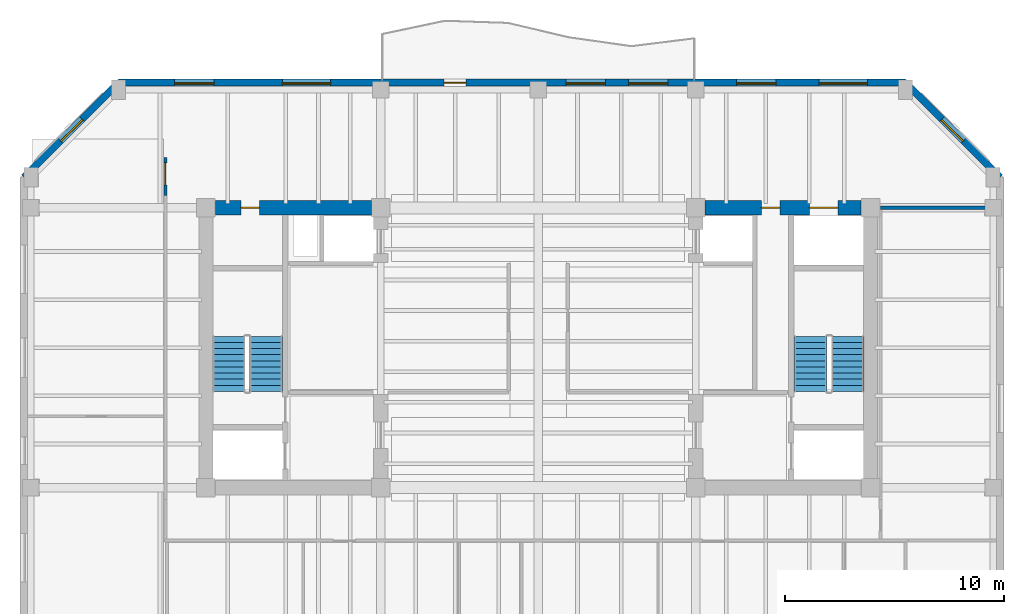
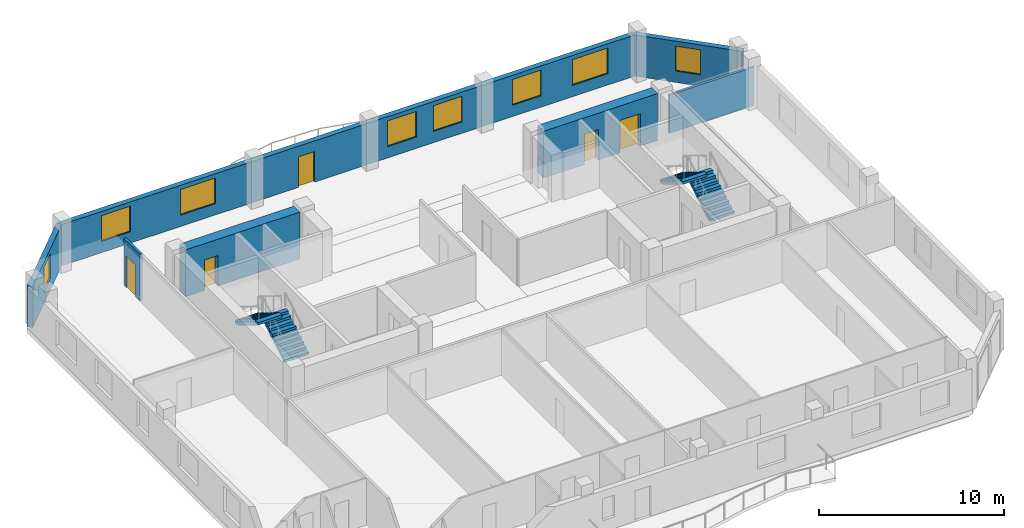
# One storey, part 5 of 10: 8 windows, 7 walls, 5 doors, 4 stair flights, 13 openings, 2 elements without a shape of their own.
"""IFC4 building model written with IfcOpenShell, lengths in metres."""

from ifc_helpers import new_model, si_unit, direction, frame, frame_2d, origin, place, context, subcontext, project, spatial, polyline, rectangle, outline, extrude, material, layer, layer_set, type_object, element, fill, aggregate, save


model = new_model("IFC4")

# Units and contexts
model_context = context("Model", 3, precision=1e-05, world=origin(), true_north=direction((0.0, 1.0)))
body_context = subcontext(model_context, "Body", "Model", "MODEL_VIEW")
ifc_project = project(units=[si_unit("LENGTHUNIT", "METRE"), si_unit("AREAUNIT", "SQUARE_METRE"), si_unit("VOLUMEUNIT", "CUBIC_METRE"), si_unit("PLANEANGLEUNIT", "RADIAN"), si_unit("MASSUNIT", "GRAM", prefix="KILO")], contexts=[model_context])

# Site, building, storey
site_placement = place(None, origin())
site = spatial("IfcSite", under=ifc_project, at=site_placement, CompositionType="ELEMENT")
building_placement = place(site_placement, origin())
building = spatial("IfcBuilding", under=site, at=building_placement, Name="Kranthara Brick Stack", CompositionType="ELEMENT")
storey_placement = place(building_placement, frame((0.0, 0.0, 214.300048828125)))
storey = spatial("IfcBuildingStorey", under=building, at=storey_placement, Name="L55", CompositionType="ELEMENT", Elevation=214.300048828125)

# Wall, opening, window
ifc_material_1 = material(Name="Warm buff clay brick masonry M15", Category="masonry")
ifc_layer_1 = layer(ifc_material_1, 0.320068359375)
ifc_layer_set_1 = layer_set([ifc_layer_1], Name="Warm buff clay brick masonry M15")
wall_type_1 = type_object("IfcWallType", Name="WL-BRK-UPPR-320", PredefinedType="STANDARD", material=ifc_layer_set_1)
wall_1_placement = place(storey_placement, frame((4.47998046875, 35.0, 0.0), z_axis=(0.0, 0.0, 1.0), x_axis=(0.707106781187, 0.707106781187, 0.0)))
wall_1 = element("IfcWall", 1, at=wall_1_placement, inside=storey, type_object=wall_type_1, Name="L55 Exterior Brick Facade Wall NW 1", PredefinedType="STANDARD", context=body_context, shape_type="SweptSolid", body=[
    extrude(rectangle(XDim=6.109619140625, YDim=0.320068359375, at=frame_2d((3.0546875, 0.0))), origin(), (0.0, 0.0, 1.0), 2.724853515625),
])
opening_1_placement = place(wall_1_placement, frame((2.35498046875, 0.0, 0.75)))
opening_1 = element("IfcOpeningElement", 2, at=opening_1_placement, cuts=wall_1, Name="Opening WN10", PredefinedType="OPENING", context=body_context, shape_type="SweptSolid", body=[
    extrude(rectangle(XDim=1.39990234375, YDim=1.64990234375, at=frame_2d((0.699951171875, 0.824951171875))), frame((0.0, 0.169921875, 0.0), z_axis=(0.0, -1.0, 0.0), x_axis=(1.0, 0.0, 0.0)), (0.0, 0.0, 1.0), 0.340087890625),
])
ifc_material_2 = material(Name="Double-glazed low-E solar control glass", Category="glass")
window_type_1 = type_object("IfcWindowType", Name="WN-CHM-1400x1750", PartitioningType="SINGLE_PANEL", PredefinedType="WINDOW", material=ifc_material_2)
window_1_placement = place(opening_1_placement, origin())
window_1 = element("IfcWindow", 3, at=window_1_placement, inside=storey, type_object=window_type_1, Name="L55 NW Chamfer Corner Window", OverallHeight=1.64990234375, OverallWidth=1.39990234375, PartitioningType="SINGLE_PANEL", PredefinedType="WINDOW", context=body_context, shape_type="SweptSolid", body=[
    extrude(rectangle(XDim=1.39990234375, YDim=1.64990234375, at=frame_2d((0.699951171875, 0.824951171875))), frame((0.0, -0.010009765625, 0.0), z_axis=(0.0, -1.0, 0.0), x_axis=(1.0, 0.0, 0.0)), (0.0, 0.0, 1.0), 0.06005859375),
])
fill(opening_1, window_1)

# Wall, openings, door, windows
wall_2_placement = place(storey_placement, frame((8.800048828125, 39.320068359375, 0.0), z_axis=(0.0, 0.0, 1.0), x_axis=(1.0, 0.0, 0.0)))
wall_2 = element("IfcWall", 4, at=wall_2_placement, inside=storey, type_object=wall_type_1, Name="L55 Exterior Brick Facade Wall NORTH 1", PredefinedType="STANDARD", context=body_context, shape_type="SweptSolid", body=[
    extrude(rectangle(XDim=36.0, YDim=0.320068359375, at=frame_2d((18.0, 0.0))), origin(), (0.0, 0.0, 1.0), 2.724853515625),
])
opening_2_placement = place(wall_2_placement, frame((14.89990234375, 0.0, 0.0)))
opening_2 = element("IfcOpeningElement", 5, at=opening_2_placement, cuts=wall_2, Name="Opening D03", PredefinedType="OPENING", context=body_context, shape_type="SweptSolid", body=[
    extrude(rectangle(XDim=1.0, YDim=2.02001953125, at=frame_2d((0.5, 1.010009765625))), frame((0.0, 0.169921875, 0.0), z_axis=(0.0, -1.0, 0.0), x_axis=(1.0, 0.0, 0.0)), (0.0, 0.0, 1.0), 0.340087890625),
])
opening_3_placement = place(wall_2_placement, frame((2.575927734375, 0.0, 0.75)))
opening_3 = element("IfcOpeningElement", 6, at=opening_3_placement, cuts=wall_2, Name="Opening WN07", PredefinedType="OPENING", context=body_context, shape_type="SweptSolid", body=[
    extrude(rectangle(XDim=1.800048828125, YDim=1.699951171875, at=frame_2d((0.89990234375, 0.85009765625))), frame((0.0, 0.169921875, 0.0), z_axis=(0.0, -1.0, 0.0), x_axis=(1.0, 0.0, 0.0)), (0.0, 0.0, 1.0), 0.340087890625),
])
opening_4_placement = place(wall_2_placement, frame((7.5, 0.0, 0.75)))
opening_4 = element("IfcOpeningElement", 7, at=opening_4_placement, cuts=wall_2, Name="Opening WN08", PredefinedType="OPENING", context=body_context, shape_type="SweptSolid", body=[
    extrude(rectangle(XDim=2.199951171875, YDim=1.699951171875, at=frame_2d((1.10009765625, 0.85009765625))), frame((0.0, 0.169921875, 0.0), z_axis=(0.0, -1.0, 0.0), x_axis=(1.0, 0.0, 0.0)), (0.0, 0.0, 1.0), 0.340087890625),
])
opening_5_placement = place(wall_2_placement, frame((20.471923828125, 0.0, 0.75)))
opening_5 = element("IfcOpeningElement", 8, at=opening_5_placement, cuts=wall_2, Name="Opening WN07", PredefinedType="OPENING", context=body_context, shape_type="SweptSolid", body=[
    extrude(rectangle(XDim=1.800048828125, YDim=1.699951171875, at=frame_2d((0.89990234375, 0.85009765625))), frame((0.0, 0.169921875, 0.0), z_axis=(0.0, -1.0, 0.0), x_axis=(1.0, 0.0, 0.0)), (0.0, 0.0, 1.0), 0.340087890625),
])
opening_6_placement = place(wall_2_placement, frame((23.327880859375, 0.0, 0.75)))
opening_6 = element("IfcOpeningElement", 9, at=opening_6_placement, cuts=wall_2, Name="Opening WN07", PredefinedType="OPENING", context=body_context, shape_type="SweptSolid", body=[
    extrude(rectangle(XDim=1.800048828125, YDim=1.699951171875, at=frame_2d((0.89990234375, 0.85009765625))), frame((0.0, 0.169921875, 0.0), z_axis=(0.0, -1.0, 0.0), x_axis=(1.0, 0.0, 0.0)), (0.0, 0.0, 1.0), 0.340087890625),
])
opening_7_placement = place(wall_2_placement, frame((28.277099609375, 0.0, 0.75)))
opening_7 = element("IfcOpeningElement", 10, at=opening_7_placement, cuts=wall_2, Name="Opening WN07", PredefinedType="OPENING", context=body_context, shape_type="SweptSolid", body=[
    extrude(rectangle(XDim=1.800048828125, YDim=1.699951171875, at=frame_2d((0.89990234375, 0.85009765625))), frame((0.0, 0.169921875, 0.0), z_axis=(0.0, -1.0, 0.0), x_axis=(1.0, 0.0, 0.0)), (0.0, 0.0, 1.0), 0.340087890625),
])
opening_8_placement = place(wall_2_placement, frame((32.048095703125, 0.0, 0.75)))
opening_8 = element("IfcOpeningElement", 11, at=opening_8_placement, cuts=wall_2, Name="Opening WN08", PredefinedType="OPENING", context=body_context, shape_type="SweptSolid", body=[
    extrude(rectangle(XDim=2.199951171875, YDim=1.699951171875, at=frame_2d((1.10009765625, 0.85009765625))), frame((0.0, 0.169921875, 0.0), z_axis=(0.0, -1.0, 0.0), x_axis=(1.0, 0.0, 0.0)), (0.0, 0.0, 1.0), 0.340087890625),
])
ifc_material_3 = material(Name="Bronze anodised aluminium and laminated glass", Category="aluminium")
door_type_1 = type_object("IfcDoorType", Name="DR-BALC-1000", OperationType="NOTDEFINED", PredefinedType="DOOR", material=ifc_material_3)
door_1_placement = place(opening_2_placement, origin())
door_1 = element("IfcDoor", 12, at=door_1_placement, inside=storey, type_object=door_type_1, Name="L55 North Balcony Terrace Door", OperationType="SINGLE_SWING_RIGHT", OverallHeight=2.02001953125, OverallWidth=1.0, PredefinedType="DOOR", context=body_context, shape_type="SweptSolid", body=[
    extrude(rectangle(XDim=1.0, YDim=2.02001953125, at=frame_2d((0.5, 1.010009765625))), frame((0.0, 0.02490234375, 0.0), z_axis=(0.0, -1.0, 0.0), x_axis=(1.0, 0.0, 0.0)), (0.0, 0.0, 1.0), 0.050048828125),
])
fill(opening_2, door_1)
ifc_material_4 = material(Name="Double-glazed low-E solar control glass", Category="glass")
window_type_2 = type_object("IfcWindowType", Name="WN-RES-1800x1850", PartitioningType="DOUBLE_PANEL_VERTICAL", PredefinedType="WINDOW", material=ifc_material_4)
window_2_placement = place(opening_3_placement, origin())
window_2 = element("IfcWindow", 13, at=window_2_placement, inside=storey, type_object=window_type_2, Name="L55 North Deep-Set Brick Window 01", OverallHeight=1.699951171875, OverallWidth=1.800048828125, PartitioningType="SINGLE_PANEL", PredefinedType="WINDOW", context=body_context, shape_type="SweptSolid", body=[
    extrude(rectangle(XDim=1.800048828125, YDim=1.699951171875, at=frame_2d((0.89990234375, 0.85009765625))), frame((0.0, -0.010009765625, 0.0), z_axis=(0.0, -1.0, 0.0), x_axis=(1.0, 0.0, 0.0)), (0.0, 0.0, 1.0), 0.06005859375),
])
fill(opening_3, window_2)
window_3_placement = place(opening_5_placement, origin())
window_3 = element("IfcWindow", 14, at=window_3_placement, inside=storey, type_object=window_type_2, Name="L55 North Deep-Set Brick Window 03", OverallHeight=1.699951171875, OverallWidth=1.800048828125, PartitioningType="SINGLE_PANEL", PredefinedType="WINDOW", context=body_context, shape_type="SweptSolid", body=[
    extrude(rectangle(XDim=1.800048828125, YDim=1.699951171875, at=frame_2d((0.89990234375, 0.85009765625))), frame((0.0, -0.010009765625, 0.0), z_axis=(0.0, -1.0, 0.0), x_axis=(1.0, 0.0, 0.0)), (0.0, 0.0, 1.0), 0.06005859375),
])
fill(opening_5, window_3)
window_4_placement = place(opening_6_placement, origin())
window_4 = element("IfcWindow", 15, at=window_4_placement, inside=storey, type_object=window_type_2, Name="L55 North Deep-Set Brick Window 04", OverallHeight=1.699951171875, OverallWidth=1.800048828125, PartitioningType="SINGLE_PANEL", PredefinedType="WINDOW", context=body_context, shape_type="SweptSolid", body=[
    extrude(rectangle(XDim=1.800048828125, YDim=1.699951171875, at=frame_2d((0.89990234375, 0.85009765625))), frame((0.0, -0.010009765625, 0.0), z_axis=(0.0, -1.0, 0.0), x_axis=(1.0, 0.0, 0.0)), (0.0, 0.0, 1.0), 0.06005859375),
])
fill(opening_6, window_4)
window_5_placement = place(opening_7_placement, origin())
window_5 = element("IfcWindow", 16, at=window_5_placement, inside=storey, type_object=window_type_2, Name="L55 North Deep-Set Brick Window 05", OverallHeight=1.699951171875, OverallWidth=1.800048828125, PartitioningType="SINGLE_PANEL", PredefinedType="WINDOW", context=body_context, shape_type="SweptSolid", body=[
    extrude(rectangle(XDim=1.800048828125, YDim=1.699951171875, at=frame_2d((0.89990234375, 0.85009765625))), frame((0.0, -0.010009765625, 0.0), z_axis=(0.0, -1.0, 0.0), x_axis=(1.0, 0.0, 0.0)), (0.0, 0.0, 1.0), 0.06005859375),
])
fill(opening_7, window_5)
ifc_material_5 = material(Name="Double-glazed low-E solar control glass", Category="glass")
window_type_3 = type_object("IfcWindowType", Name="WN-RES-2200x1850", PartitioningType="TRIPLE_PANEL_VERTICAL", PredefinedType="WINDOW", material=ifc_material_5)
window_6_placement = place(opening_4_placement, origin())
window_6 = element("IfcWindow", 17, at=window_6_placement, inside=storey, type_object=window_type_3, Name="L55 North Deep-Set Brick Window 02", OverallHeight=1.699951171875, OverallWidth=2.199951171875, PartitioningType="SINGLE_PANEL", PredefinedType="WINDOW", context=body_context, shape_type="SweptSolid", body=[
    extrude(rectangle(XDim=2.199951171875, YDim=1.699951171875, at=frame_2d((1.10009765625, 0.85009765625))), frame((0.0, -0.010009765625, 0.0), z_axis=(0.0, -1.0, 0.0), x_axis=(1.0, 0.0, 0.0)), (0.0, 0.0, 1.0), 0.06005859375),
])
fill(opening_4, window_6)
window_7_placement = place(opening_8_placement, origin())
window_7 = element("IfcWindow", 18, at=window_7_placement, inside=storey, type_object=window_type_3, Name="L55 North Deep-Set Brick Window 06", OverallHeight=1.699951171875, OverallWidth=2.199951171875, PartitioningType="SINGLE_PANEL", PredefinedType="WINDOW", context=body_context, shape_type="SweptSolid", body=[
    extrude(rectangle(XDim=2.199951171875, YDim=1.699951171875, at=frame_2d((1.10009765625, 0.85009765625))), frame((0.0, -0.010009765625, 0.0), z_axis=(0.0, -1.0, 0.0), x_axis=(1.0, 0.0, 0.0)), (0.0, 0.0, 1.0), 0.06005859375),
])
fill(opening_8, window_7)

# Wall, opening, window
wall_3_placement = place(storey_placement, frame((44.800048828125, 39.320068359375, 0.0), z_axis=(0.0, 0.0, 1.0), x_axis=(0.707106781187, -0.707106781187, 0.0)))
wall_3 = element("IfcWall", 19, at=wall_3_placement, inside=storey, type_object=wall_type_1, Name="L55 Exterior Brick Facade Wall NE 1", PredefinedType="STANDARD", context=body_context, shape_type="SweptSolid", body=[
    extrude(rectangle(XDim=6.109619140625, YDim=0.320068359375, at=frame_2d((3.0546875, 0.0))), origin(), (0.0, 0.0, 1.0), 2.724853515625),
])
opening_9_placement = place(wall_3_placement, frame((2.35498046875, 0.0, 0.75)))
opening_9 = element("IfcOpeningElement", 20, at=opening_9_placement, cuts=wall_3, Name="Opening WN10", PredefinedType="OPENING", context=body_context, shape_type="SweptSolid", body=[
    extrude(rectangle(XDim=1.39990234375, YDim=1.64990234375, at=frame_2d((0.699951171875, 0.824951171875))), frame((0.0, 0.169921875, 0.0), z_axis=(0.0, -1.0, 0.0), x_axis=(1.0, 0.0, 0.0)), (0.0, 0.0, 1.0), 0.340087890625),
])
window_8_placement = place(opening_9_placement, origin())
window_8 = element("IfcWindow", 21, at=window_8_placement, inside=storey, type_object=window_type_1, Name="L55 NE Chamfer Corner Window", OverallHeight=1.64990234375, OverallWidth=1.39990234375, PartitioningType="SINGLE_PANEL", PredefinedType="WINDOW", context=body_context, shape_type="SweptSolid", body=[
    extrude(rectangle(XDim=1.39990234375, YDim=1.64990234375, at=frame_2d((0.699951171875, 0.824951171875))), frame((0.0, -0.010009765625, 0.0), z_axis=(0.0, -1.0, 0.0), x_axis=(1.0, 0.0, 0.0)), (0.0, 0.0, 1.0), 0.06005859375),
])
fill(opening_9, window_8)

# Wall, opening, door
ifc_material_6 = material(Name="Concrete C60/75", Category="concrete")
ifc_layer_2 = layer(ifc_material_6, 0.64990234375)
ifc_layer_set_2 = layer_set([ifc_layer_2], Name="Concrete C60/75")
wall_type_2 = type_object("IfcWallType", Name="WL-CORE-650", PredefinedType="SHEAR", material=ifc_layer_set_2)
wall_4_placement = place(storey_placement, frame((13.22998046875, 33.60009765625, 0.0), z_axis=(0.0, 0.0, 1.0), x_axis=(1.0, 0.0, 0.0)))
wall_4 = element("IfcWall", 22, at=wall_4_placement, inside=storey, type_object=wall_type_2, Name="L55 West Core Shear Wall North", PredefinedType="SHEAR", context=body_context, shape_type="SweptSolid", body=[
    extrude(rectangle(XDim=7.14013671875, YDim=0.64990234375, at=frame_2d((3.570068359375, 0.0))), origin(), (0.0, 0.0, 1.0), 3.099853515625),
])
opening_10_placement = place(wall_4_placement, frame((1.169921875, 0.0, 0.0)))
opening_10 = element("IfcOpeningElement", 23, at=opening_10_placement, cuts=wall_4, Name="Opening D10", PredefinedType="OPENING", context=body_context, shape_type="SweptSolid", body=[
    extrude(rectangle(XDim=0.85009765625, YDim=2.02001953125, at=frame_2d((0.425048828125, 1.010009765625))), frame((0.0, 0.3349609375, 0.0), z_axis=(0.0, -1.0, 0.0), x_axis=(1.0, 0.0, 0.0)), (0.0, 0.0, 1.0), 0.669921875),
])
ifc_material_7 = material(Name="Solid-core hardwood timber leaf in steel frame", Category="steel")
door_type_2 = type_object("IfcDoorType", Name="DR-RSR-850", OperationType="NOTDEFINED", PredefinedType="DOOR", material=ifc_material_7)
door_2_placement = place(opening_10_placement, origin())
door_2 = element("IfcDoor", 24, at=door_2_placement, inside=storey, type_object=door_type_2, Name="L55 West Core Service Door 1", OperationType="SINGLE_SWING_LEFT", OverallHeight=2.02001953125, OverallWidth=0.85009765625, PredefinedType="DOOR", context=body_context, shape_type="SweptSolid", body=[
    extrude(rectangle(XDim=0.85009765625, YDim=2.02001953125, at=frame_2d((0.425048828125, 1.010009765625))), frame((0.0, 0.02490234375, 0.0), z_axis=(0.0, -1.0, 0.0), x_axis=(1.0, 0.0, 0.0)), (0.0, 0.0, 1.0), 0.050048828125),
])
fill(opening_10, door_2)

# Wall, openings, doors
wall_5_placement = place(storey_placement, frame((35.6298828125, 33.60009765625, 0.0), z_axis=(0.0, 0.0, 1.0), x_axis=(1.0, 0.0, 0.0)))
wall_5 = element("IfcWall", 25, at=wall_5_placement, inside=storey, type_object=wall_type_2, Name="L55 East Core Shear Wall North", PredefinedType="SHEAR", context=body_context, shape_type="SweptSolid", body=[
    extrude(rectangle(XDim=7.14013671875, YDim=0.64990234375, at=frame_2d((3.570068359375, 0.0))), origin(), (0.0, 0.0, 1.0), 3.099853515625),
])
opening_11_placement = place(wall_5_placement, frame((4.77001953125, 0.0, 0.0)))
opening_11 = element("IfcOpeningElement", 26, at=opening_11_placement, cuts=wall_5, Name="Opening LD03", PredefinedType="OPENING", context=body_context, shape_type="SweptSolid", body=[
    extrude(rectangle(XDim=1.300048828125, YDim=2.14990234375, at=frame_2d((0.64990234375, 1.074951171875))), frame((0.0, 0.3349609375, 0.0), z_axis=(0.0, -1.0, 0.0), x_axis=(1.0, 0.0, 0.0)), (0.0, 0.0, 1.0), 0.669921875),
])
opening_12_placement = place(wall_5_placement, frame((2.570068359375, 0.0, 0.0)))
opening_12 = element("IfcOpeningElement", 27, at=opening_12_placement, cuts=wall_5, Name="Opening D10", PredefinedType="OPENING", context=body_context, shape_type="SweptSolid", body=[
    extrude(rectangle(XDim=0.85009765625, YDim=2.02001953125, at=frame_2d((0.425048828125, 1.010009765625))), frame((0.0, 0.3349609375, 0.0), z_axis=(0.0, -1.0, 0.0), x_axis=(1.0, 0.0, 0.0)), (0.0, 0.0, 1.0), 0.669921875),
])
ifc_material_8 = material(Name="Stainless steel sliding landing door", Category="steel")
door_type_3 = type_object("IfcDoorType", Name="DR-LD-SV1300", OperationType="DOUBLE_DOOR_SLIDING", PredefinedType="DOOR", material=ifc_material_8)
door_3_placement = place(opening_11_placement, origin())
door_3 = element("IfcDoor", 28, at=door_3_placement, inside=storey, type_object=door_type_3, Name="L55 Stretcher Service Lift SV-01 Landing Door", OperationType="DOUBLE_DOOR_SLIDING", OverallHeight=2.14990234375, OverallWidth=1.300048828125, PredefinedType="DOOR", context=body_context, shape_type="SweptSolid", body=[
    extrude(rectangle(XDim=1.300048828125, YDim=2.14990234375, at=frame_2d((0.64990234375, 1.074951171875))), frame((0.0, 0.02490234375, 0.0), z_axis=(0.0, -1.0, 0.0), x_axis=(1.0, 0.0, 0.0)), (0.0, 0.0, 1.0), 0.050048828125),
])
fill(opening_11, door_3)
door_4_placement = place(opening_12_placement, origin())
door_4 = element("IfcDoor", 29, at=door_4_placement, inside=storey, type_object=door_type_2, Name="L55 East Core Service Room Door", OperationType="SINGLE_SWING_LEFT", OverallHeight=2.02001953125, OverallWidth=0.85009765625, PredefinedType="DOOR", context=body_context, shape_type="SweptSolid", body=[
    extrude(rectangle(XDim=0.85009765625, YDim=2.02001953125, at=frame_2d((0.425048828125, 1.010009765625))), frame((0.0, 0.02490234375, 0.0), z_axis=(0.0, -1.0, 0.0), x_axis=(1.0, 0.0, 0.0)), (0.0, 0.0, 1.0), 0.050048828125),
])
fill(opening_12, door_4)

# Wall, opening, door
ifc_material_9 = material(Name="Fire-rated gypsum board partition", Category="other")
ifc_layer_3 = layer(ifc_material_9, 0.14990234375)
ifc_layer_set_3 = layer_set([ifc_layer_3], Name="Fire-rated gypsum board partition")
wall_type_3 = type_object("IfcWallType", Name="WL-PART-150", PredefinedType="PARTITIONING", material=ifc_layer_set_3)
wall_6_placement = place(storey_placement, frame((10.949951171875, 34.14990234375, 0.0), z_axis=(0.0, 0.0, 1.0), x_axis=(0.0, 1.0, 0.0)))
wall_6 = element("IfcWall", 30, at=wall_6_placement, inside=storey, type_object=wall_type_3, Name="L55 Interior Partition 024", PredefinedType="PARTITIONING", context=body_context, shape_type="SweptSolid", body=[
    extrude(rectangle(XDim=1.75, YDim=0.14990234375, at=frame_2d((0.875, 0.0))), origin(), (0.0, 0.0, 1.0), 3.099853515625),
])
opening_13_placement = place(wall_6_placement, frame((0.5, 0.0, 0.0)))
opening_13 = element("IfcOpeningElement", 31, at=opening_13_placement, cuts=wall_6, Name="Opening D08", PredefinedType="OPENING", context=body_context, shape_type="SweptSolid", body=[
    extrude(rectangle(XDim=1.0, YDim=2.10009765625, at=frame_2d((0.5, 1.050048828125))), frame((0.0, 0.0849609375, 0.0), z_axis=(0.0, -1.0, 0.0), x_axis=(1.0, 0.0, 0.0)), (0.0, 0.0, 1.0), 0.169921875),
])
ifc_material_10 = material(Name="Solid-core hardwood timber leaf in steel frame", Category="steel")
door_type_4 = type_object("IfcDoorType", Name="DR-FD-1000", OperationType="NOTDEFINED", PredefinedType="DOOR", material=ifc_material_10)
door_5_placement = place(opening_13_placement, origin())
door_5 = element("IfcDoor", 32, at=door_5_placement, inside=storey, type_object=door_type_4, Name="L55 Unit L55C Entrance 17", OperationType="SINGLE_SWING_LEFT", OverallHeight=2.10009765625, OverallWidth=1.0, PredefinedType="DOOR", context=body_context, shape_type="SweptSolid", body=[
    extrude(rectangle(XDim=1.0, YDim=2.10009765625, at=frame_2d((0.5, 1.050048828125))), frame((0.0, 0.02490234375, 0.0), z_axis=(0.0, -1.0, 0.0), x_axis=(1.0, 0.0, 0.0)), (0.0, 0.0, 1.0), 0.050048828125),
])
fill(opening_13, door_5)

# Wall
wall_7_placement = place(storey_placement, frame((43.64990234375, 33.60009765625, 0.0), z_axis=(0.0, 0.0, 1.0), x_axis=(1.0, 0.0, 0.0)))
element("IfcWall", 33, at=wall_7_placement, inside=storey, type_object=wall_type_3, Name="L55 Interior Partition 031", PredefinedType="PARTITIONING", context=body_context, shape_type="SweptSolid", body=[
    extrude(rectangle(XDim=5.30517578125, YDim=0.14990234375, at=frame_2d((2.652587890625, 0.0))), origin(), (0.0, 0.0, 1.0), 2.534912109375),
])

# Stair, stair flights
ifc_material_11 = material(Name="Concrete C45/55", Category="concrete")
stair_type = type_object("IfcStairType", Name="ST-CORE-20R", PredefinedType="HALF_TURN_STAIR", material=ifc_material_11)
stair_1_placement = place(storey_placement, origin())
stair_1 = element("IfcStair", 34, at=stair_1_placement, inside=storey, type_object=stair_type, Name="L55 West Core Protected Exit Stair ST01", PredefinedType="HALF_TURN_STAIR")
ifc_material_12 = material(Name="Concrete C45/55", Category="concrete")
stair_flight_type = type_object("IfcStairFlightType", Name="SFL-RC-20R", PredefinedType="STRAIGHT", material=ifc_material_12)
stair_flight_1_placement = place(storey_placement, frame((15.550048828125, 25.199951171875, 0.0), z_axis=(0.0, 0.0, 1.0), x_axis=(0.0, 1.0, 0.0)))
stair_flight_1 = element("IfcStairFlight", 35, at=stair_flight_1_placement, type_object=stair_flight_type, Name="ST01 flight 1", NumberOfRisers=10, NumberOfTreads=9, PredefinedType="STRAIGHT", RiserHeight=0.17, TreadLength=0.28, context=body_context, shape_type="SweptSolid", body=[
    extrude(outline(polyline([(0.0, 0.0), (0.0, 0.169921875), (0.280029296875, 0.169921875), (0.280029296875, 0.340087890625), (0.56005859375, 0.340087890625), (0.56005859375, 0.510009765625), (0.840087890625, 0.510009765625), (0.840087890625, 0.679931640625), (1.1201171875, 0.679931640625), (1.1201171875, 0.85009765625), (1.39990234375, 0.85009765625), (1.39990234375, 1.02001953125), (1.679931640625, 1.02001953125), (1.679931640625, 1.18994140625), (1.9599609375, 1.18994140625), (1.9599609375, 1.360107421875), (2.239990234375, 1.360107421875), (2.239990234375, 1.530029296875), (2.52001953125, 1.530029296875), (2.52001953125, 1.699951171875), (2.52001953125, 1.354736328125), (0.288818359375, 0.0), (0.0, 0.0)])), frame((0.0, 0.75, 0.0), z_axis=(0.0, -1.0, 0.0), x_axis=(1.0, 0.0, 0.0)), (0.0, 0.0, 1.0), 1.5),
])
stair_flight_2_placement = place(storey_placement, frame((13.85009765625, 27.719970703125, 1.699951171875), z_axis=(0.0, 0.0, 1.0), x_axis=(0.0, -1.0, 0.0)))
stair_flight_2 = element("IfcStairFlight", 36, at=stair_flight_2_placement, type_object=stair_flight_type, Name="ST01 flight 2", NumberOfRisers=10, NumberOfTreads=9, PredefinedType="STRAIGHT", RiserHeight=0.17, TreadLength=0.28, context=body_context, shape_type="SweptSolid", body=[
    extrude(outline(polyline([(0.0, 0.0), (0.0, 0.169921875), (0.280029296875, 0.169921875), (0.280029296875, 0.340087890625), (0.56005859375, 0.340087890625), (0.56005859375, 0.510009765625), (0.840087890625, 0.510009765625), (0.840087890625, 0.679931640625), (1.1201171875, 0.679931640625), (1.1201171875, 0.85009765625), (1.39990234375, 0.85009765625), (1.39990234375, 1.02001953125), (1.679931640625, 1.02001953125), (1.679931640625, 1.18994140625), (1.9599609375, 1.18994140625), (1.9599609375, 1.360107421875), (2.239990234375, 1.360107421875), (2.239990234375, 1.530029296875), (2.52001953125, 1.530029296875), (2.52001953125, 1.699951171875), (2.52001953125, 1.354736328125), (0.288818359375, 0.0), (0.0, 0.0)])), frame((0.0, 0.75, 0.0), z_axis=(0.0, -1.0, 0.0), x_axis=(1.0, 0.0, 0.0)), (0.0, 0.0, 1.0), 1.5),
])
aggregate(stair_1, [stair_flight_1, stair_flight_2])

stair_2_placement = place(storey_placement, origin())
stair_2 = element("IfcStair", 37, at=stair_2_placement, inside=storey, type_object=stair_type, Name="L55 East Core Protected Exit Stair ST02", PredefinedType="HALF_TURN_STAIR")
stair_flight_3_placement = place(storey_placement, frame((42.14990234375, 25.199951171875, 0.0), z_axis=(0.0, 0.0, 1.0), x_axis=(0.0, 1.0, 0.0)))
stair_flight_3 = element("IfcStairFlight", 38, at=stair_flight_3_placement, type_object=stair_flight_type, Name="ST02 flight 1", NumberOfRisers=10, NumberOfTreads=9, PredefinedType="STRAIGHT", RiserHeight=0.17, TreadLength=0.28, context=body_context, shape_type="SweptSolid", body=[
    extrude(outline(polyline([(0.0, 0.0), (0.0, 0.169921875), (0.280029296875, 0.169921875), (0.280029296875, 0.340087890625), (0.56005859375, 0.340087890625), (0.56005859375, 0.510009765625), (0.840087890625, 0.510009765625), (0.840087890625, 0.679931640625), (1.1201171875, 0.679931640625), (1.1201171875, 0.85009765625), (1.39990234375, 0.85009765625), (1.39990234375, 1.02001953125), (1.679931640625, 1.02001953125), (1.679931640625, 1.18994140625), (1.9599609375, 1.18994140625), (1.9599609375, 1.360107421875), (2.239990234375, 1.360107421875), (2.239990234375, 1.530029296875), (2.52001953125, 1.530029296875), (2.52001953125, 1.699951171875), (2.52001953125, 1.354736328125), (0.288818359375, 0.0), (0.0, 0.0)])), frame((0.0, 0.75, 0.0), z_axis=(0.0, -1.0, 0.0), x_axis=(1.0, 0.0, 0.0)), (0.0, 0.0, 1.0), 1.5),
])
stair_flight_4_placement = place(storey_placement, frame((40.449951171875, 27.719970703125, 1.699951171875), z_axis=(0.0, 0.0, 1.0), x_axis=(0.0, -1.0, 0.0)))
stair_flight_4 = element("IfcStairFlight", 39, at=stair_flight_4_placement, type_object=stair_flight_type, Name="ST02 flight 2", NumberOfRisers=10, NumberOfTreads=9, PredefinedType="STRAIGHT", RiserHeight=0.17, TreadLength=0.28, context=body_context, shape_type="SweptSolid", body=[
    extrude(outline(polyline([(0.0, 0.0), (0.0, 0.169921875), (0.280029296875, 0.169921875), (0.280029296875, 0.340087890625), (0.56005859375, 0.340087890625), (0.56005859375, 0.510009765625), (0.840087890625, 0.510009765625), (0.840087890625, 0.679931640625), (1.1201171875, 0.679931640625), (1.1201171875, 0.85009765625), (1.39990234375, 0.85009765625), (1.39990234375, 1.02001953125), (1.679931640625, 1.02001953125), (1.679931640625, 1.18994140625), (1.9599609375, 1.18994140625), (1.9599609375, 1.360107421875), (2.239990234375, 1.360107421875), (2.239990234375, 1.530029296875), (2.52001953125, 1.530029296875), (2.52001953125, 1.699951171875), (2.52001953125, 1.354736328125), (0.288818359375, 0.0), (0.0, 0.0)])), frame((0.0, 0.75, 0.0), z_axis=(0.0, -1.0, 0.0), x_axis=(1.0, 0.0, 0.0)), (0.0, 0.0, 1.0), 1.5),
])
aggregate(stair_2, [stair_flight_3, stair_flight_4])

save(model, "model.ifc")
